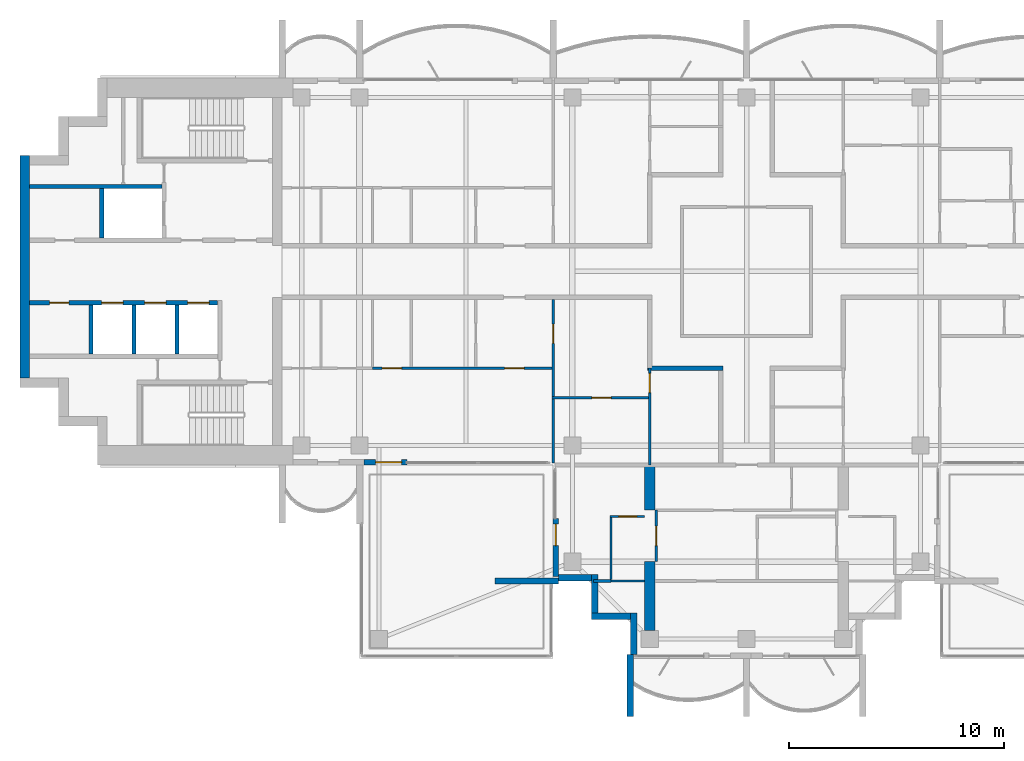
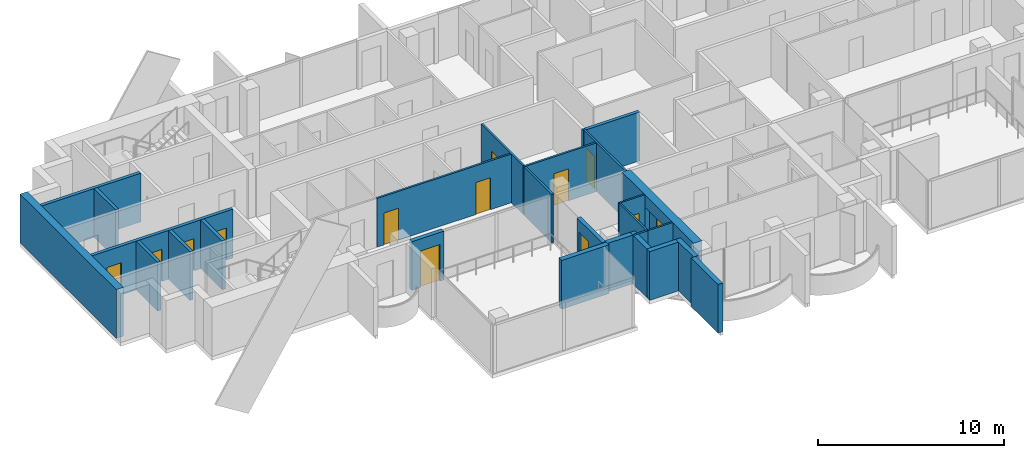
# One storey, part 8 of 18: 26 walls, 13 doors, 13 openings.
"""IFC4 building model written with IfcOpenShell, lengths in metres."""

from ifc_helpers import new_model, si_unit, direction, frame, frame_2d, origin, place, context, subcontext, project, spatial, polyline, rectangle, outline, extrude, material, layer, layer_set, material_profile, profile_set, type_object, element, fill, save


model = new_model("IFC4")

# Units and contexts
model_context = context("Model", 3, precision=1e-05, world=origin(), true_north=direction((0.0, 1.0)))
body_context = subcontext(model_context, "Body", "Model", "MODEL_VIEW")
ifc_project = project(units=[si_unit("LENGTHUNIT", "METRE"), si_unit("AREAUNIT", "SQUARE_METRE"), si_unit("VOLUMEUNIT", "CUBIC_METRE"), si_unit("PLANEANGLEUNIT", "RADIAN"), si_unit("MASSUNIT", "GRAM", prefix="KILO")], contexts=[model_context])

# Site, building, storey
site_placement = place(None, origin())
site = spatial("IfcSite", under=ifc_project, at=site_placement, CompositionType="ELEMENT")
building_placement = place(site_placement, origin())
building = spatial("IfcBuilding", under=site, at=building_placement, Name="Perihelion Cross Residences", CompositionType="ELEMENT")
storey_placement = place(building_placement, frame((0.0, 0.0, 281.5)))
storey = spatial("IfcBuildingStorey", under=building, at=storey_placement, Name="L72", CompositionType="ELEMENT", Elevation=281.5)

# Wall
ifc_material_1 = material(Name="Plasterboard partition")
ifc_layer_1 = layer(ifc_material_1, 0.199951171875)
ifc_layer_set_1 = layer_set([ifc_layer_1], Name="Apartment separation wall 200")
wall_type_1 = type_object("IfcWallType", Name="Apartment separation wall 200", PredefinedType="PARTITIONING", material=ifc_layer_set_1)
wall_1_placement = place(storey_placement, frame((-1.10009765625, -4.5, 0.0), z_axis=(0.0, 0.0, 1.0), x_axis=(-1.0, 0.0, 0.0)))
element("IfcWall", 1, at=wall_1_placement, inside=storey, type_object=wall_type_1, Name="Partition L72 W020", PredefinedType="PARTITIONING", context=body_context, shape_type="SweptSolid", body=[
    extrude(rectangle(XDim=3.5, YDim=0.199951171875, at=frame_2d((1.75, 0.0))), origin(), (0.0, 0.0, 1.0), 3.199951171875),
])

# Wall, opening, door
ifc_material_2 = material(Name="Concrete C30/37, bronze-clad", Category="concrete")
ifc_layer_2 = layer(ifc_material_2, 0.25)
ifc_layer_set_2 = layer_set([ifc_layer_2], Name="Bronze-clad pier wall 250")
wall_type_2 = type_object("IfcWallType", Name="Bronze-clad pier wall 250", PredefinedType="SOLIDWALL", material=ifc_layer_set_2)
wall_2_placement = place(storey_placement, frame((-17.800048828125, -8.875, 0.0), z_axis=(0.0, 0.0, 1.0), x_axis=(1.0, 0.0, 0.0)))
wall_2 = element("IfcWall", 2, at=wall_2_placement, inside=storey, type_object=wall_type_2, Name="Wall FW1 L72 west side south bay 2 pier", PredefinedType="SOLIDWALL", context=body_context, shape_type="SweptSolid", body=[
    extrude(rectangle(XDim=2.0, YDim=0.25, at=frame_2d((1.0, 0.0))), origin(), (0.0, 0.0, 1.0), 3.199951171875),
])
opening_1_placement = place(wall_2_placement, frame((0.550048828125, 0.0, 0.0)))
opening_1 = element("IfcOpeningElement", 3, at=opening_1_placement, cuts=wall_2, Name="Opening L72.E08", PredefinedType="OPENING", context=body_context, shape_type="SweptSolid", body=[
    extrude(rectangle(XDim=1.199951171875, YDim=2.39990234375, at=frame_2d((0.60009765625, 1.199951171875))), frame((0.0, 0.135009765625, 0.0), z_axis=(0.0, -1.0, 0.0), x_axis=(1.0, 0.0, 0.0)), (0.0, 0.0, 1.0), 0.27001953125),
])
ifc_material_3 = material(Name="Bronze anodised aluminium, glazed", Category="aluminium")
door_type_1 = type_object("IfcDoorType", Name="Balcony door 1200 x 2400", OperationType="NOTDEFINED", PredefinedType="DOOR", material=ifc_material_3)
door_1_placement = place(opening_1_placement, origin())
door_1 = element("IfcDoor", 4, at=door_1_placement, inside=storey, type_object=door_type_1, Name="Door L72.E08 west side south bay 2", OperationType="SINGLE_SWING_RIGHT", OverallHeight=2.39990234375, OverallWidth=1.199951171875, PredefinedType="DOOR", context=body_context, shape_type="SweptSolid", body=[
    extrude(rectangle(XDim=1.199951171875, YDim=2.39990234375, at=frame_2d((0.60009765625, 1.199951171875))), frame((0.0, 0.02490234375, 0.0), z_axis=(0.0, -1.0, 0.0), x_axis=(1.0, 0.0, 0.0)), (0.0, 0.0, 1.0), 0.050048828125),
])
fill(opening_1, door_1)

wall_3_placement = place(storey_placement, frame((-8.875, -11.5, 0.0), z_axis=(0.0, 0.0, 1.0), x_axis=(0.0, -1.0, 0.0)))
wall_3 = element("IfcWall", 5, at=wall_3_placement, inside=storey, type_object=wall_type_2, Name="Wall FW1 L72 south side west bay 1 pier", PredefinedType="SOLIDWALL", context=body_context, shape_type="SweptSolid", body=[
    extrude(rectangle(XDim=2.699951171875, YDim=0.25, at=frame_2d((1.35009765625, 0.0))), origin(), (0.0, 0.0, 1.0), 3.199951171875),
])
opening_2_placement = place(wall_3_placement, frame((0.25, 0.0, 0.0)))
opening_2 = element("IfcOpeningElement", 6, at=opening_2_placement, cuts=wall_3, Name="Opening L72.E09", PredefinedType="OPENING", context=body_context, shape_type="SweptSolid", body=[
    extrude(rectangle(XDim=1.0, YDim=2.39990234375, at=frame_2d((0.5, 1.199951171875))), frame((0.0, 0.135009765625, 0.0), z_axis=(0.0, -1.0, 0.0), x_axis=(1.0, 0.0, 0.0)), (0.0, 0.0, 1.0), 0.27001953125),
])
ifc_material_4 = material(Name="Bronze anodised aluminium, glazed", Category="aluminium")
door_type_2 = type_object("IfcDoorType", Name="Balcony door 1000 x 2400", OperationType="NOTDEFINED", PredefinedType="DOOR", material=ifc_material_4)
door_2_placement = place(opening_2_placement, origin())
door_2 = element("IfcDoor", 7, at=door_2_placement, inside=storey, type_object=door_type_2, Name="Door L72.E09 south side west bay 1", OperationType="SINGLE_SWING_LEFT", OverallHeight=2.39990234375, OverallWidth=1.0, PredefinedType="DOOR", context=body_context, shape_type="SweptSolid", body=[
    extrude(rectangle(XDim=1.0, YDim=2.39990234375, at=frame_2d((0.5, 1.199951171875))), frame((0.0, 0.02490234375, 0.0), z_axis=(0.0, -1.0, 0.0), x_axis=(1.0, 0.0, 0.0)), (0.0, 0.0, 1.0), 0.050048828125),
])
fill(opening_2, door_2)

# Walls
ifc_material_5 = material(Name="Concrete C30/37, bronze-clad", Category="concrete")
ifc_layer_3 = layer(ifc_material_5, 0.300048828125)
ifc_layer_set_3 = layer_set([ifc_layer_3], Name="Bronze-clad serration wall 300")
wall_type_3 = type_object("IfcWallType", Name="Bronze-clad serration wall 300", PredefinedType="SOLIDWALL", material=ifc_layer_set_3)
wall_4_placement = place(storey_placement, frame((-8.75, -14.25, 0.0), z_axis=(0.0, 0.0, 1.0), x_axis=(1.0, 0.0, 0.0)))
element("IfcWall", 8, at=wall_4_placement, inside=storey, type_object=wall_type_3, Name="Wall SR1 L72 south corner south-west 1", PredefinedType="SOLIDWALL", context=body_context, shape_type="SweptSolid", body=[
    extrude(rectangle(XDim=1.550048828125, YDim=0.300048828125, at=frame_2d((0.77490234375, 0.0))), origin(), (0.0, 0.0, 1.0), 3.199951171875),
])
wall_5_placement = place(storey_placement, frame((-7.050048828125, -14.10009765625, 0.0), z_axis=(0.0, 0.0, 1.0), x_axis=(0.0, -1.0, 0.0)))
element("IfcWall", 9, at=wall_5_placement, inside=storey, type_object=wall_type_3, Name="Wall SR1 L72 south corner south-west 2", PredefinedType="SOLIDWALL", context=body_context, shape_type="SweptSolid", body=[
    extrude(rectangle(XDim=1.7998046875, YDim=0.300048828125, at=frame_2d((0.89990234375, 0.0))), origin(), (0.0, 0.0, 1.0), 3.199951171875),
])
wall_6_placement = place(storey_placement, frame((-7.199951171875, -16.050048828125, 0.0), z_axis=(0.0, 0.0, 1.0), x_axis=(1.0, 0.0, 0.0)))
element("IfcWall", 10, at=wall_6_placement, inside=storey, type_object=wall_type_3, Name="Wall SR1 L72 south corner south-west 3", PredefinedType="SOLIDWALL", context=body_context, shape_type="SweptSolid", body=[
    extrude(rectangle(XDim=1.800048828125, YDim=0.300048828125, at=frame_2d((0.89990234375, 0.0))), origin(), (0.0, 0.0, 1.0), 3.199951171875),
])
wall_7_placement = place(storey_placement, frame((-5.25, -15.89990234375, 0.0), z_axis=(0.0, 0.0, 1.0), x_axis=(0.0, -1.0, 0.0)))
element("IfcWall", 11, at=wall_7_placement, inside=storey, type_object=wall_type_3, Name="Wall SR1 L72 south corner south-west 4", PredefinedType="SOLIDWALL", context=body_context, shape_type="SweptSolid", body=[
    extrude(rectangle(XDim=1.920166015625, YDim=0.300048828125, at=frame_2d((0.9599609375, 0.0))), origin(), (0.0, 0.0, 1.0), 3.199951171875),
])
ifc_material_6 = material(Name="Concrete C60/75", Category="concrete")
ifc_layer_4 = layer(ifc_material_6, 0.449951171875)
ifc_layer_set_4 = layer_set([ifc_layer_4], Name="Core wall, outer 450")
wall_type_4 = type_object("IfcWallType", Name="Core wall, outer 450", PredefinedType="SHEAR", material=ifc_layer_set_4)
wall_8_placement = place(storey_placement, frame((-33.574951171875, -4.949951171875, 0.0), z_axis=(0.0, 0.0, 1.0), x_axis=(0.0, 1.0, 0.0)))
element("IfcWall", 12, at=wall_8_placement, inside=storey, type_object=wall_type_4, Name="West core core wall, outer", PredefinedType="SHEAR", context=body_context, shape_type="SweptSolid", body=[
    extrude(rectangle(XDim=10.349853515625, YDim=0.449951171875, at=frame_2d((5.1748046875, 0.0))), origin(), (0.0, 0.0, 1.0), 3.199951171875),
])

# Wall, opening, door
ifc_material_7 = material(Name="Plasterboard partition")
ifc_layer_5 = layer(ifc_material_7, 0.1201171875)
ifc_layer_set_5 = layer_set([ifc_layer_5], Name="Infill panel 120")
wall_type_5 = type_object("IfcWallType", Name="Infill panel 120", PredefinedType="PARTITIONING", material=ifc_layer_set_5)
wall_9_placement = place(storey_placement, frame((-4.18994140625, -11.10009765625, 0.0), z_axis=(0.0, 0.0, 1.0), x_axis=(0.0, -1.0, 0.0)))
wall_9 = element("IfcWall", 13, at=wall_9_placement, inside=storey, type_object=wall_type_5, Name="Partition L72 WI02", PredefinedType="PARTITIONING", context=body_context, shape_type="SweptSolid", body=[
    extrude(rectangle(XDim=2.39990234375, YDim=0.1201171875, at=frame_2d((1.199951171875, 0.0))), origin(), (0.0, 0.0, 1.0), 2.39990234375),
])
opening_3_placement = place(wall_9_placement, frame((0.75, 0.0, 0.0)))
opening_3 = element("IfcOpeningElement", 14, at=opening_3_placement, cuts=wall_9, Name="Opening L72.A47", PredefinedType="OPENING", context=body_context, shape_type="SweptSolid", body=[
    extrude(rectangle(XDim=0.89990234375, YDim=2.10009765625, at=frame_2d((0.449951171875, 1.050048828125))), frame((0.0, 0.070068359375, 0.0), z_axis=(0.0, -1.0, 0.0), x_axis=(1.0, 0.0, 0.0)), (0.0, 0.0, 1.0), 0.14013671875),
])
ifc_material_8 = material(Name="Timber door leaf", Category="wood")
door_type_3 = type_object("IfcDoorType", Name="Interior room door 900 x 2100", OperationType="SINGLE_SWING_LEFT", PredefinedType="DOOR", material=ifc_material_8)
door_3_placement = place(opening_3_placement, origin())
door_3 = element("IfcDoor", 15, at=door_3_placement, inside=storey, type_object=door_type_3, Name="Door L72.A47", OperationType="SINGLE_SWING_LEFT", OverallHeight=2.10009765625, OverallWidth=0.89990234375, PredefinedType="DOOR", context=body_context, shape_type="SweptSolid", body=[
    extrude(rectangle(XDim=0.89990234375, YDim=2.10009765625, at=frame_2d((0.449951171875, 1.050048828125))), frame((0.0, 0.02490234375, 0.0), z_axis=(0.0, -1.0, 0.0), x_axis=(1.0, 0.0, 0.0)), (0.0, 0.0, 1.0), 0.050048828125),
])
fill(opening_3, door_3)

# Wall, openings, doors
ifc_material_9 = material(Name="Plasterboard partition")
ifc_layer_6 = layer(ifc_material_9, 0.1201171875)
ifc_layer_set_6 = layer_set([ifc_layer_6], Name="Partition wall 120")
wall_type_6 = type_object("IfcWallType", Name="Partition wall 120", PredefinedType="PARTITIONING", material=ifc_layer_set_6)
wall_10_placement = place(storey_placement, frame((-8.93994140625, -4.5, 0.0), z_axis=(0.0, 0.0, 1.0), x_axis=(-1.0, 0.0, 0.0)))
wall_10 = element("IfcWall", 16, at=wall_10_placement, inside=storey, type_object=wall_type_6, Name="Partition L72 W058", PredefinedType="PARTITIONING", context=body_context, shape_type="SweptSolid", body=[
    extrude(rectangle(XDim=8.4599609375, YDim=0.1201171875, at=frame_2d((4.22998046875, 0.0))), origin(), (0.0, 0.0, 1.0), 3.199951171875),
])
opening_4_placement = place(wall_10_placement, frame((7.110107421875, 0.0, 0.0)))
opening_4 = element("IfcOpeningElement", 17, at=opening_4_placement, cuts=wall_10, Name="Opening L72.A32", PredefinedType="OPENING", context=body_context, shape_type="SweptSolid", body=[
    extrude(rectangle(XDim=0.89990234375, YDim=2.10009765625, at=frame_2d((0.449951171875, 1.050048828125))), frame((0.0, 0.070068359375, 0.0), z_axis=(0.0, -1.0, 0.0), x_axis=(1.0, 0.0, 0.0)), (0.0, 0.0, 1.0), 0.14013671875),
])
opening_5_placement = place(wall_10_placement, frame((1.409912109375, 0.0, 0.0)))
opening_5 = element("IfcOpeningElement", 18, at=opening_5_placement, cuts=wall_10, Name="Opening L72.A34", PredefinedType="OPENING", context=body_context, shape_type="SweptSolid", body=[
    extrude(rectangle(XDim=0.89990234375, YDim=2.10009765625, at=frame_2d((0.449951171875, 1.050048828125))), frame((0.0, 0.070068359375, 0.0), z_axis=(0.0, -1.0, 0.0), x_axis=(1.0, 0.0, 0.0)), (0.0, 0.0, 1.0), 0.14013671875),
])
door_4_placement = place(opening_4_placement, origin())
door_4 = element("IfcDoor", 19, at=door_4_placement, inside=storey, type_object=door_type_3, Name="Door L72.A32", OperationType="SINGLE_SWING_RIGHT", OverallHeight=2.10009765625, OverallWidth=0.89990234375, PredefinedType="DOOR", context=body_context, shape_type="SweptSolid", body=[
    extrude(rectangle(XDim=0.89990234375, YDim=2.10009765625, at=frame_2d((0.449951171875, 1.050048828125))), frame((0.0, 0.02490234375, 0.0), z_axis=(0.0, -1.0, 0.0), x_axis=(1.0, 0.0, 0.0)), (0.0, 0.0, 1.0), 0.050048828125),
])
fill(opening_4, door_4)
door_5_placement = place(opening_5_placement, origin())
door_5 = element("IfcDoor", 20, at=door_5_placement, inside=storey, type_object=door_type_3, Name="Door L72.A34", OperationType="SINGLE_SWING_RIGHT", OverallHeight=2.10009765625, OverallWidth=0.89990234375, PredefinedType="DOOR", context=body_context, shape_type="SweptSolid", body=[
    extrude(rectangle(XDim=0.89990234375, YDim=2.10009765625, at=frame_2d((0.449951171875, 1.050048828125))), frame((0.0, 0.02490234375, 0.0), z_axis=(0.0, -1.0, 0.0), x_axis=(1.0, 0.0, 0.0)), (0.0, 0.0, 1.0), 0.050048828125),
])
fill(opening_5, door_5)

# Wall, opening, door
wall_11_placement = place(storey_placement, frame((-9.0, -1.300048828125, 0.0), z_axis=(0.0, 0.0, 1.0), x_axis=(0.0, -1.0, 0.0)))
wall_11 = element("IfcWall", 21, at=wall_11_placement, inside=storey, type_object=wall_type_6, Name="Partition L72 W059", PredefinedType="PARTITIONING", context=body_context, shape_type="SweptSolid", body=[
    extrude(rectangle(XDim=7.619873046875, YDim=0.1201171875, at=frame_2d((3.81005859375, 0.0))), origin(), (0.0, 0.0, 1.0), 3.199951171875),
])
opening_6_placement = place(wall_11_placement, frame((1.14990234375, 0.0, 0.0)))
opening_6 = element("IfcOpeningElement", 22, at=opening_6_placement, cuts=wall_11, Name="Opening L72.A30", PredefinedType="OPENING", context=body_context, shape_type="SweptSolid", body=[
    extrude(rectangle(XDim=0.89990234375, YDim=2.10009765625, at=frame_2d((0.449951171875, 1.050048828125))), frame((0.0, 0.070068359375, 0.0), z_axis=(0.0, -1.0, 0.0), x_axis=(1.0, 0.0, 0.0)), (0.0, 0.0, 1.0), 0.14013671875),
])
door_6_placement = place(opening_6_placement, origin())
door_6 = element("IfcDoor", 23, at=door_6_placement, inside=storey, type_object=door_type_3, Name="Door L72.A30", OperationType="SINGLE_SWING_RIGHT", OverallHeight=2.10009765625, OverallWidth=0.89990234375, PredefinedType="DOOR", context=body_context, shape_type="SweptSolid", body=[
    extrude(rectangle(XDim=0.89990234375, YDim=2.10009765625, at=frame_2d((0.449951171875, 1.050048828125))), frame((0.0, 0.02490234375, 0.0), z_axis=(0.0, -1.0, 0.0), x_axis=(1.0, 0.0, 0.0)), (0.0, 0.0, 1.0), 0.050048828125),
])
fill(opening_6, door_6)

wall_12_placement = place(storey_placement, frame((-4.43994140625, -5.8798828125, 0.0), z_axis=(0.0, 0.0, 1.0), x_axis=(-1.0, 0.0, 0.0)))
wall_12 = element("IfcWall", 24, at=wall_12_placement, inside=storey, type_object=wall_type_6, Name="Partition L72 W065", PredefinedType="PARTITIONING", context=body_context, shape_type="SweptSolid", body=[
    extrude(rectangle(XDim=4.6201171875, YDim=0.1201171875, at=frame_2d((2.31005859375, 0.0))), origin(), (0.0, 0.0, 1.0), 3.199951171875),
])
opening_7_placement = place(wall_12_placement, frame((1.860107421875, 0.0, 0.0)))
opening_7 = element("IfcOpeningElement", 25, at=opening_7_placement, cuts=wall_12, Name="Opening L72.A33", PredefinedType="OPENING", context=body_context, shape_type="SweptSolid", body=[
    extrude(rectangle(XDim=0.89990234375, YDim=2.10009765625, at=frame_2d((0.449951171875, 1.050048828125))), frame((0.0, 0.070068359375, 0.0), z_axis=(0.0, -1.0, 0.0), x_axis=(1.0, 0.0, 0.0)), (0.0, 0.0, 1.0), 0.14013671875),
])
door_7_placement = place(opening_7_placement, origin())
door_7 = element("IfcDoor", 26, at=door_7_placement, inside=storey, type_object=door_type_3, Name="Door L72.A33", OperationType="SINGLE_SWING_LEFT", OverallHeight=2.10009765625, OverallWidth=0.89990234375, PredefinedType="DOOR", context=body_context, shape_type="SweptSolid", body=[
    extrude(rectangle(XDim=0.89990234375, YDim=2.10009765625, at=frame_2d((0.449951171875, 1.050048828125))), frame((0.0, 0.02490234375, 0.0), z_axis=(0.0, -1.0, 0.0), x_axis=(1.0, 0.0, 0.0)), (0.0, 0.0, 1.0), 0.050048828125),
])
fill(opening_7, door_7)

wall_13_placement = place(storey_placement, frame((-4.5, -4.5, 0.0), z_axis=(0.0, 0.0, 1.0), x_axis=(0.0, -1.0, 0.0)))
wall_13 = element("IfcWall", 27, at=wall_13_placement, inside=storey, type_object=wall_type_6, Name="Partition L72 W066", PredefinedType="PARTITIONING", context=body_context, shape_type="SweptSolid", body=[
    extrude(rectangle(XDim=4.5, YDim=0.1201171875, at=frame_2d((2.25, 0.0))), origin(), (0.0, 0.0, 1.0), 3.199951171875),
])
opening_8_placement = place(wall_13_placement, frame((0.239990234375, 0.0, 0.0)))
opening_8 = element("IfcOpeningElement", 28, at=opening_8_placement, cuts=wall_13, Name="Opening L72.A28", PredefinedType="OPENING", context=body_context, shape_type="SweptSolid", body=[
    extrude(rectangle(XDim=0.89990234375, YDim=2.10009765625, at=frame_2d((0.449951171875, 1.050048828125))), frame((0.0, 0.070068359375, 0.0), z_axis=(0.0, -1.0, 0.0), x_axis=(1.0, 0.0, 0.0)), (0.0, 0.0, 1.0), 0.14013671875),
])
door_8_placement = place(opening_8_placement, origin())
door_8 = element("IfcDoor", 29, at=door_8_placement, inside=storey, type_object=door_type_3, Name="Door L72.A28", OperationType="SINGLE_SWING_RIGHT", OverallHeight=2.10009765625, OverallWidth=0.89990234375, PredefinedType="DOOR", context=body_context, shape_type="SweptSolid", body=[
    extrude(rectangle(XDim=0.89990234375, YDim=2.10009765625, at=frame_2d((0.449951171875, 1.050048828125))), frame((0.0, 0.02490234375, 0.0), z_axis=(0.0, -1.0, 0.0), x_axis=(1.0, 0.0, 0.0)), (0.0, 0.0, 1.0), 0.050048828125),
])
fill(opening_8, door_8)

# Walls
wall_14_placement = place(storey_placement, frame((-6.300048828125, -14.39990234375, 0.0), z_axis=(0.0, 0.0, 1.0), x_axis=(-1.0, 0.0, 0.0)))
element("IfcWall", 30, at=wall_14_placement, inside=storey, type_object=wall_type_6, Name="Partition L72 W078", PredefinedType="PARTITIONING", context=body_context, shape_type="SweptSolid", body=[
    extrude(rectangle(XDim=0.820068359375, YDim=0.1201171875, at=frame_2d((0.41015625, 0.0))), origin(), (0.0, 0.0, 1.0), 3.199951171875),
])
ifc_material_10 = material(Name="Precast concrete C50/60", Category="concrete")
ifc_layer_7 = layer(ifc_material_10, 0.300048828125)
ifc_layer_set_7 = layer_set([ifc_layer_7], Name="Precast concrete C50/60 blade wall 300")
wall_type_7 = type_object("IfcWallType", Name="Precast concrete C50/60 blade wall 300", PredefinedType="SOLIDWALL", material=ifc_layer_set_7)
wall_15_placement = place(storey_placement, frame((-8.75, -14.39990234375, 0.0), z_axis=(0.0, 0.0, 1.0), x_axis=(-1.0, 0.0, 0.0)))
element("IfcWall", 31, at=wall_15_placement, inside=storey, type_object=wall_type_7, Name="Wall BL1 L72 no. 6", PredefinedType="SOLIDWALL", context=body_context, shape_type="SweptSolid", body=[
    extrude(rectangle(XDim=2.949951171875, YDim=0.300048828125, at=frame_2d((1.47509765625, 0.0))), origin(), (0.0, 0.0, 1.0), 3.199951171875),
])
wall_16_placement = place(storey_placement, frame((-5.39990234375, -17.820068359375, 0.0), z_axis=(0.0, 0.0, 1.0), x_axis=(0.0, -1.0, 0.0)))
element("IfcWall", 32, at=wall_16_placement, inside=storey, type_object=wall_type_7, Name="Wall BL1 L72 no. 5", PredefinedType="SOLIDWALL", context=body_context, shape_type="SweptSolid", body=[
    extrude(rectangle(XDim=2.8798828125, YDim=0.300048828125, at=frame_2d((1.43994140625, 0.0))), origin(), (0.0, 0.0, 1.0), 3.199951171875),
])

# Wall, openings, doors
ifc_material_11 = material(Name="Concrete C50/60", Category="concrete")
ifc_layer_8 = layer(ifc_material_11, 0.199951171875)
ifc_layer_set_8 = layer_set([ifc_layer_8], Name="Shaft wall 200")
wall_type_8 = type_object("IfcWallType", Name="Shaft wall 200", PredefinedType="SOLIDWALL", material=ifc_layer_set_8)
wall_17_placement = place(storey_placement, frame((-33.35009765625, -1.449951171875, 0.0), z_axis=(0.0, 0.0, 1.0), x_axis=(1.0, 0.0, 0.0)))
wall_17 = element("IfcWall", 33, at=wall_17_placement, inside=storey, type_object=wall_type_8, Name="West core shaft wall", PredefinedType="SOLIDWALL", context=body_context, shape_type="SweptSolid", body=[
    extrude(rectangle(XDim=8.75, YDim=0.199951171875, at=frame_2d((4.375, 0.0))), origin(), (0.0, 0.0, 1.0), 3.199951171875),
])
opening_9_placement = place(wall_17_placement, frame((7.35009765625, 0.0, 0.0)))
opening_9 = element("IfcOpeningElement", 34, at=opening_9_placement, cuts=wall_17, Name="Opening L72.C15", PredefinedType="OPENING", context=body_context, shape_type="SweptSolid", body=[
    extrude(rectangle(XDim=1.0, YDim=2.10009765625, at=frame_2d((0.5, 1.050048828125))), frame((0.0, 0.10986328125, 0.0), z_axis=(0.0, -1.0, 0.0), x_axis=(1.0, 0.0, 0.0)), (0.0, 0.0, 1.0), 0.219970703125),
])
opening_10_placement = place(wall_17_placement, frame((5.35009765625, 0.0, 0.0)))
opening_10 = element("IfcOpeningElement", 35, at=opening_10_placement, cuts=wall_17, Name="Opening L72.C17", PredefinedType="OPENING", context=body_context, shape_type="SweptSolid", body=[
    extrude(rectangle(XDim=1.0, YDim=2.10009765625, at=frame_2d((0.5, 1.050048828125))), frame((0.0, 0.10986328125, 0.0), z_axis=(0.0, -1.0, 0.0), x_axis=(1.0, 0.0, 0.0)), (0.0, 0.0, 1.0), 0.219970703125),
])
opening_11_placement = place(wall_17_placement, frame((3.35009765625, 0.0, 0.0)))
opening_11 = element("IfcOpeningElement", 36, at=opening_11_placement, cuts=wall_17, Name="Opening L72.C18", PredefinedType="OPENING", context=body_context, shape_type="SweptSolid", body=[
    extrude(rectangle(XDim=1.0, YDim=2.10009765625, at=frame_2d((0.5, 1.050048828125))), frame((0.0, 0.10986328125, 0.0), z_axis=(0.0, -1.0, 0.0), x_axis=(1.0, 0.0, 0.0)), (0.0, 0.0, 1.0), 0.219970703125),
])
opening_12_placement = place(wall_17_placement, frame((0.925048828125, 0.0, 0.0)))
opening_12 = element("IfcOpeningElement", 37, at=opening_12_placement, cuts=wall_17, Name="Opening L72.C28", PredefinedType="OPENING", context=body_context, shape_type="SweptSolid", body=[
    extrude(rectangle(XDim=0.89990234375, YDim=2.10009765625, at=frame_2d((0.449951171875, 1.050048828125))), frame((0.0, 0.10986328125, 0.0), z_axis=(0.0, -1.0, 0.0), x_axis=(1.0, 0.0, 0.0)), (0.0, 0.0, 1.0), 0.219970703125),
])
ifc_material_12 = material(Name="Stainless steel", Category="steel")
door_type_4 = type_object("IfcDoorType", Name="Landing door 1000", OperationType="DOUBLE_DOOR_SLIDING", PredefinedType="DOOR", material=ifc_material_12)
door_9_placement = place(opening_9_placement, origin())
door_9 = element("IfcDoor", 38, at=door_9_placement, inside=storey, type_object=door_type_4, Name="Landing door, West core high-rise lift 1", OperationType="DOUBLE_DOOR_SLIDING", OverallHeight=2.10009765625, OverallWidth=1.0, PredefinedType="DOOR", context=body_context, shape_type="SweptSolid", body=[
    extrude(rectangle(XDim=1.0, YDim=2.10009765625, at=frame_2d((0.5, 1.050048828125))), frame((0.0, 0.02490234375, 0.0), z_axis=(0.0, -1.0, 0.0), x_axis=(1.0, 0.0, 0.0)), (0.0, 0.0, 1.0), 0.050048828125),
])
fill(opening_9, door_9)
door_10_placement = place(opening_10_placement, origin())
door_10 = element("IfcDoor", 39, at=door_10_placement, inside=storey, type_object=door_type_4, Name="Landing door, West core high-rise lift 2", OperationType="DOUBLE_DOOR_SLIDING", OverallHeight=2.10009765625, OverallWidth=1.0, PredefinedType="DOOR", context=body_context, shape_type="SweptSolid", body=[
    extrude(rectangle(XDim=1.0, YDim=2.10009765625, at=frame_2d((0.5, 1.050048828125))), frame((0.0, 0.02490234375, 0.0), z_axis=(0.0, -1.0, 0.0), x_axis=(1.0, 0.0, 0.0)), (0.0, 0.0, 1.0), 0.050048828125),
])
fill(opening_10, door_10)
door_11_placement = place(opening_11_placement, origin())
door_11 = element("IfcDoor", 40, at=door_11_placement, inside=storey, type_object=door_type_4, Name="Landing door, West core high-rise lift 3", OperationType="DOUBLE_DOOR_SLIDING", OverallHeight=2.10009765625, OverallWidth=1.0, PredefinedType="DOOR", context=body_context, shape_type="SweptSolid", body=[
    extrude(rectangle(XDim=1.0, YDim=2.10009765625, at=frame_2d((0.5, 1.050048828125))), frame((0.0, 0.02490234375, 0.0), z_axis=(0.0, -1.0, 0.0), x_axis=(1.0, 0.0, 0.0)), (0.0, 0.0, 1.0), 0.050048828125),
])
fill(opening_11, door_11)
ifc_material_13 = material(Name="Steel, powder coated", Category="steel")
door_type_5 = type_object("IfcDoorType", Name="Service room door 900", OperationType="SINGLE_SWING_LEFT", PredefinedType="DOOR", material=ifc_material_13)
door_12_placement = place(opening_12_placement, origin())
door_12 = element("IfcDoor", 41, at=door_12_placement, inside=storey, type_object=door_type_5, Name="West core service room door", OperationType="SINGLE_SWING_LEFT", OverallHeight=2.10009765625, OverallWidth=0.89990234375, PredefinedType="DOOR", context=body_context, shape_type="SweptSolid", body=[
    extrude(rectangle(XDim=0.89990234375, YDim=2.10009765625, at=frame_2d((0.449951171875, 1.050048828125))), frame((0.0, 0.02490234375, 0.0), z_axis=(0.0, -1.0, 0.0), x_axis=(1.0, 0.0, 0.0)), (0.0, 0.0, 1.0), 0.050048828125),
])
fill(opening_12, door_12)

# Walls
wall_18_placement = place(storey_placement, frame((-33.35009765625, 3.949951171875, 0.0), z_axis=(0.0, 0.0, 1.0), x_axis=(1.0, 0.0, 0.0)))
element("IfcWall", 42, at=wall_18_placement, inside=storey, type_object=wall_type_8, Name="West core shaft wall", PredefinedType="SOLIDWALL", context=body_context, shape_type="SweptSolid", body=[
    extrude(rectangle(XDim=6.150146484375, YDim=0.199951171875, at=frame_2d((3.0751953125, 0.0))), origin(), (0.0, 0.0, 1.0), 3.199951171875),
])
for number, where, z_axis, x_axis, name in (
    (43, (-30.0, 1.550048828125, 0.0), (0.0, 0.0, 1.0), (0.0, 1.0, 0.0), "West core shaft wall"),
    (44, (-26.5, -3.85009765625, 0.0), (0.0, 0.0, 1.0), (0.0, 1.0, 0.0), "West core shaft wall"),
    (45, (-28.5, -3.85009765625, 0.0), (0.0, 0.0, 1.0), (0.0, 1.0, 0.0), "West core shaft wall"),
    (46, (-30.5, -3.85009765625, 0.0), (0.0, 0.0, 1.0), (0.0, 1.0, 0.0), "West core shaft wall"),
):
    element("IfcWall", number, at=place(storey_placement, frame(where, z_axis=z_axis, x_axis=x_axis)), inside=storey, type_object=wall_type_8, Name=name, PredefinedType="SOLIDWALL", context=body_context, shape_type="SweptSolid", body=[
        extrude(rectangle(XDim=2.300048828125, YDim=0.199951171875, at=frame_2d((1.14990234375, 0.0))), origin(), (0.0, 0.0, 1.0), 3.199951171875),
    ])
ifc_material_14 = material(Name="Concrete C50/60", Category="concrete")
ifc_material_profile = material_profile(ifc_material_14, outline(polyline([(0.0, 0.0), (3.199951171875, 0.0), (3.199951171875, 2.64990234375), (5.60009765625, 2.64990234375), (5.60009765625, 0.0), (7.699951171875, 0.0), (7.699951171875, 3.449951171875), (0.0, 3.449951171875), (0.0, 0.0)])), Name="Tip spine wall")
ifc_profile_set = profile_set([ifc_material_profile], Name="Concrete C50/60")
wall_type_9 = type_object("IfcWallType", Name="Tip spine wall 500 with 1 door openings 7700 long 3450 high concrete C50/60", PredefinedType="SHEAR", material=ifc_profile_set)
wall_19_placement = place(storey_placement, frame((-4.75, -16.699951171875, -0.25), z_axis=(1.0, 0.0, 0.0), x_axis=(0.0, 1.0, 0.0)))
element("IfcWall", 47, at=wall_19_placement, inside=storey, type_object=wall_type_9, Name="Shear wall SW46 L72 south west", PredefinedType="SHEAR", context=body_context, shape_type="SweptSolid", body=[
    extrude(outline(polyline([(0.0, 0.0), (3.199951171875, 0.0), (3.199951171875, 2.64990234375), (5.60009765625, 2.64990234375), (5.60009765625, 0.0), (7.699951171875, 0.0), (7.699951171875, 3.449951171875), (0.0, 3.449951171875), (0.0, 0.0)])), origin(), (0.0, 0.0, 1.0), 0.5),
])

# Wall, opening, door
ifc_material_15 = material(Name="Plasterboard partition")
ifc_layer_9 = layer(ifc_material_15, 0.10009765625)
ifc_layer_set_9 = layer_set([ifc_layer_9], Name="Wet room wall 100")
wall_type_10 = type_object("IfcWallType", Name="Wet room wall 100", PredefinedType="PARTITIONING", material=ifc_layer_set_9)
wall_20_placement = place(storey_placement, frame((-4.75, -11.39990234375, 0.0), z_axis=(0.0, 0.0, 1.0), x_axis=(-1.0, 0.0, 0.0)))
wall_20 = element("IfcWall", 48, at=wall_20_placement, inside=storey, type_object=wall_type_10, Name="Partition L72 W076", PredefinedType="PARTITIONING", context=body_context, shape_type="SweptSolid", body=[
    extrude(rectangle(XDim=1.60009765625, YDim=0.10009765625, at=frame_2d((0.800048828125, 0.0))), origin(), (0.0, 0.0, 1.0), 3.199951171875),
])
opening_13_placement = place(wall_20_placement, frame((0.35009765625, 0.0, 0.0)))
opening_13 = element("IfcOpeningElement", 49, at=opening_13_placement, cuts=wall_20, Name="Opening L72.A41", PredefinedType="OPENING", context=body_context, shape_type="SweptSolid", body=[
    extrude(rectangle(XDim=0.85009765625, YDim=2.10009765625, at=frame_2d((0.425048828125, 1.050048828125))), frame((0.0, 0.06005859375, 0.0), z_axis=(0.0, -1.0, 0.0), x_axis=(1.0, 0.0, 0.0)), (0.0, 0.0, 1.0), 0.1201171875),
])
ifc_material_16 = material(Name="Timber door leaf", Category="wood")
door_type_6 = type_object("IfcDoorType", Name="Interior bathroom door 850 x 2100", OperationType="SINGLE_SWING_LEFT", PredefinedType="DOOR", material=ifc_material_16)
door_13_placement = place(opening_13_placement, origin())
door_13 = element("IfcDoor", 50, at=door_13_placement, inside=storey, type_object=door_type_6, Name="Door L72.A41", OperationType="SINGLE_SWING_LEFT", OverallHeight=2.10009765625, OverallWidth=0.85009765625, PredefinedType="DOOR", context=body_context, shape_type="SweptSolid", body=[
    extrude(rectangle(XDim=0.85009765625, YDim=2.10009765625, at=frame_2d((0.425048828125, 1.050048828125))), frame((0.0, 0.02490234375, 0.0), z_axis=(0.0, -1.0, 0.0), x_axis=(1.0, 0.0, 0.0)), (0.0, 0.0, 1.0), 0.050048828125),
])
fill(opening_13, door_13)

# Walls
wall_21_placement = place(storey_placement, frame((-6.300048828125, -11.449951171875, 0.0), z_axis=(0.0, 0.0, 1.0), x_axis=(0.0, -1.0, 0.0)))
element("IfcWall", 51, at=wall_21_placement, inside=storey, type_object=wall_type_10, Name="Partition L72 W077", PredefinedType="PARTITIONING", context=body_context, shape_type="SweptSolid", body=[
    extrude(rectangle(XDim=2.89013671875, YDim=0.10009765625, at=frame_2d((1.445068359375, 0.0))), origin(), (0.0, 0.0, 1.0), 3.199951171875),
])
wall_22_placement = place(storey_placement, frame((-4.75, -14.39990234375, 0.0), z_axis=(0.0, 0.0, 1.0), x_axis=(-1.0, 0.0, 0.0)))
element("IfcWall", 52, at=wall_22_placement, inside=storey, type_object=wall_type_10, Name="Partition L72 W079", PredefinedType="PARTITIONING", context=body_context, shape_type="SweptSolid", body=[
    extrude(rectangle(XDim=1.550048828125, YDim=0.10009765625, at=frame_2d((0.77490234375, 0.0))), origin(), (0.0, 0.0, 1.0), 3.199951171875),
])

save(model, "model.ifc")
